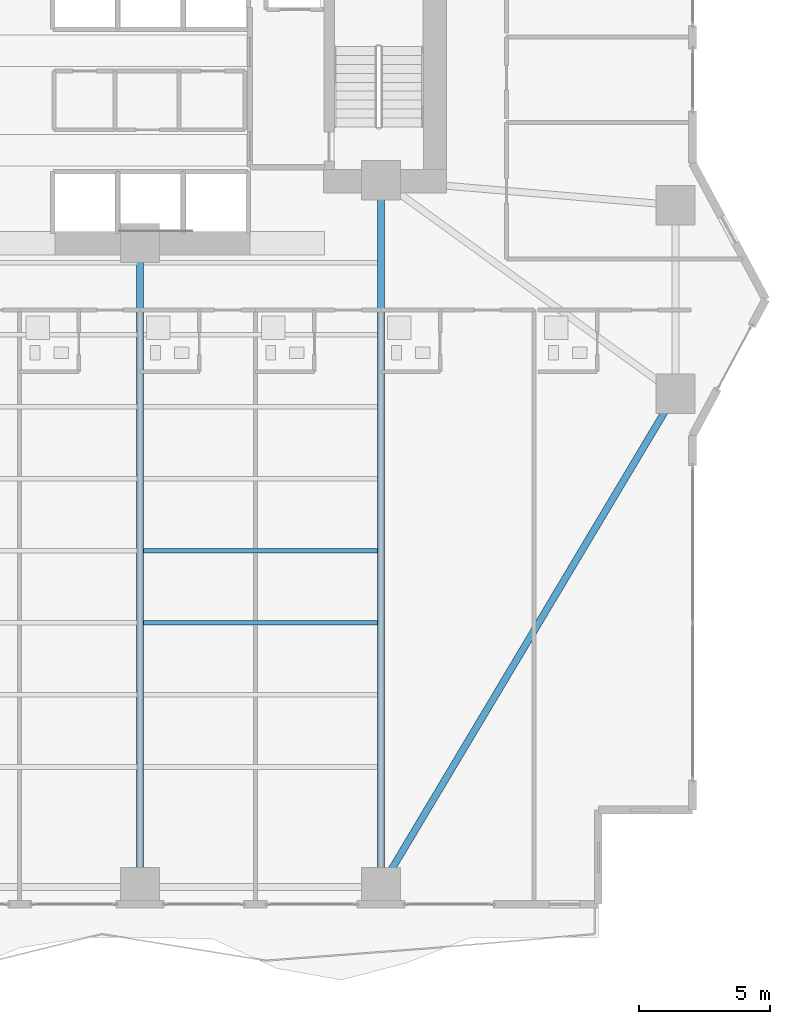
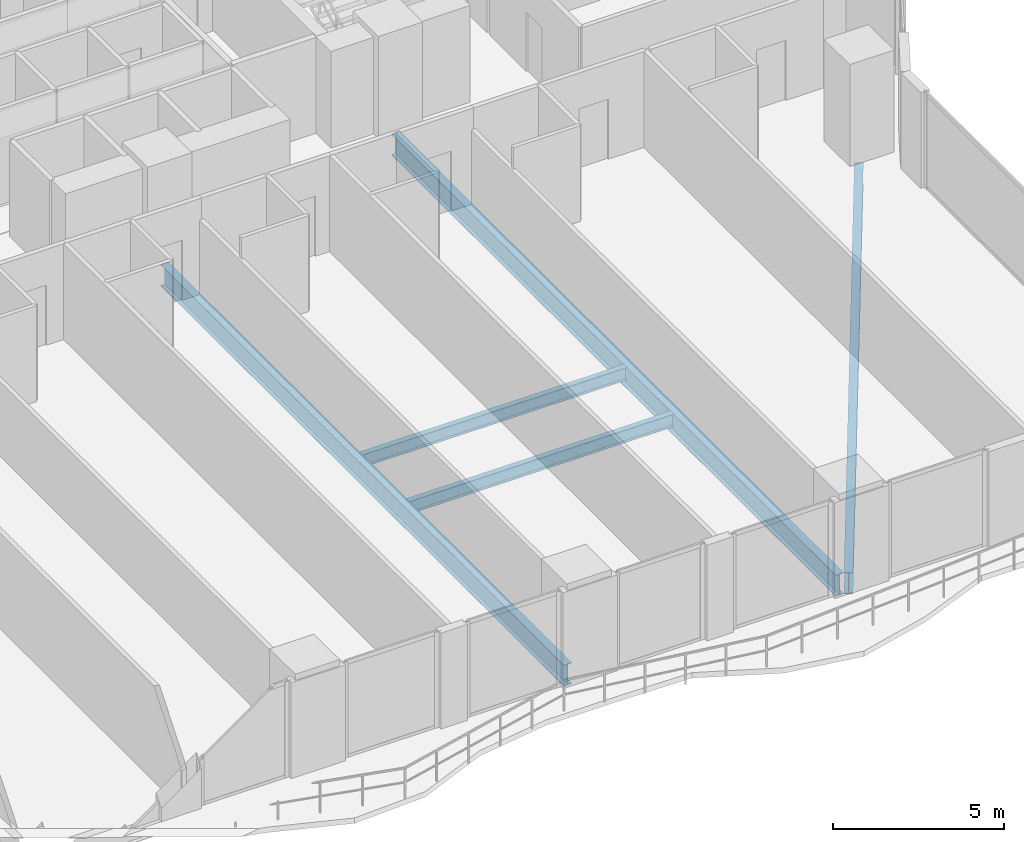
# One storey, part 9 of 29: 5 beams.
"""IFC4 building model written with IfcOpenShell, lengths in metres."""

from ifc_helpers import new_model, si_unit, direction, frame, origin, origin_2d, place, context, subcontext, project, spatial, i_section, extrude, material, material_profile, profile_set, type_object, element, save


model = new_model("IFC4")

# Units and contexts
model_context = context("Model", 3, precision=1e-05, world=origin(), true_north=direction((0.0, 1.0)))
body_context = subcontext(model_context, "Body", "Model", "MODEL_VIEW")
ifc_project = project(units=[si_unit("LENGTHUNIT", "METRE"), si_unit("AREAUNIT", "SQUARE_METRE"), si_unit("VOLUMEUNIT", "CUBIC_METRE"), si_unit("PLANEANGLEUNIT", "RADIAN"), si_unit("MASSUNIT", "GRAM", prefix="KILO")], contexts=[model_context])

# Site, building, storey
site_placement = place(None, origin())
site = spatial("IfcSite", under=ifc_project, at=site_placement, CompositionType="ELEMENT")
building_placement = place(site_placement, origin())
building = spatial("IfcBuilding", under=site, at=building_placement, Name="Zuhayl Quay Hotel", CompositionType="ELEMENT")
storey_placement = place(building_placement, frame((0.0, 0.0, 67.75)))
storey = spatial("IfcBuildingStorey", under=building, at=storey_placement, Name="L16", CompositionType="ELEMENT", Elevation=67.75)

# Beams
ifc_material = material(Name="Steel ASTM A992 Grade 50", Category="steel")
ifc_material_profile_1 = material_profile(ifc_material, i_section(OverallWidth=0.26708984375, OverallDepth=0.761962890625, WebThickness=0.014404296875, FlangeThickness=0.021484375, at=origin_2d()), Name="W30X116")
ifc_profile_set_1 = profile_set([ifc_material_profile_1], Name="Steel ASTM A992 Grade 50")
beam_type_1 = type_object("IfcBeamType", Name="BM_B1_W30X116", PredefinedType="BEAM", material=ifc_profile_set_1)
beam_1_placement = place(storey_placement, frame((14.05615234375, -22.020751953125, -0.60107421875), z_axis=(0.512482593247, 0.85869761361, 0.0), x_axis=(-0.85869761361, 0.512482593247, 0.0)))
element("IfcBeam", 1, at=beam_1_placement, inside=storey, type_object=beam_type_1, Name="L16 Floor Beam RG_L16_04", PredefinedType="BEAM", context=body_context, shape_type="SweptSolid", body=[
    extrude(i_section(OverallWidth=0.26708984375, OverallDepth=0.761962890625, WebThickness=0.014404296875, FlangeThickness=0.021484375, at=origin_2d()), origin(), (0.0, 0.0, 1.0), 20.9521484375),
])
beam_2_placement = place(storey_placement, frame((4.60009765625, -21.949951171875, -0.60107421875), z_axis=(0.0, 1.0, 0.0), x_axis=(-1.0, 0.0, 0.0)))
element("IfcBeam", 2, at=beam_2_placement, inside=storey, type_object=beam_type_1, Name="L16 Floor Beam FG_S_L16_3", PredefinedType="BEAM", context=body_context, shape_type="SweptSolid", body=[
    extrude(i_section(OverallWidth=0.26708984375, OverallDepth=0.761962890625, WebThickness=0.014404296875, FlangeThickness=0.021484375, at=origin_2d()), origin(), (0.0, 0.0, 1.0), 23.64990234375),
])
beam_3_placement = place(storey_placement, frame((13.800048828125, -21.949951171875, -0.60107421875), z_axis=(0.0, 1.0, 0.0), x_axis=(-1.0, 0.0, 0.0)))
element("IfcBeam", 3, at=beam_3_placement, inside=storey, type_object=beam_type_1, Name="L16 Floor Beam FG_S_L16_4", PredefinedType="BEAM", context=body_context, shape_type="SweptSolid", body=[
    extrude(i_section(OverallWidth=0.26708984375, OverallDepth=0.761962890625, WebThickness=0.014404296875, FlangeThickness=0.021484375, at=origin_2d()), origin(), (0.0, 0.0, 1.0), 26.050048828125),
])
ifc_material_profile_2 = material_profile(ifc_material, i_section(OverallWidth=0.18994140625, OverallDepth=0.45703125, WebThickness=0.009033203125, FlangeThickness=0.014404296875, at=origin_2d()), Name="W18X50")
ifc_profile_set_2 = profile_set([ifc_material_profile_2], Name="Steel ASTM A992 Grade 50")
beam_type_2 = type_object("IfcBeamType", Name="BM_J2_W18X50", PredefinedType="JOIST", material=ifc_profile_set_2)
for number, where, z_axis, x_axis, name in (
    (4, (4.7255859375, -12.35009765625, -0.448486328125), (1.0, 0.0, 0.0), (0.0, 1.0, 0.0), "L16 Floor Beam FJ_L16_5_3"),
    (5, (4.7255859375, -9.60009765625, -0.448486328125), (1.0, 0.0, 0.0), (0.0, 1.0, 0.0), "L16 Floor Beam FJ_L16_6_3"),
):
    element("IfcBeam", number, at=place(storey_placement, frame(where, z_axis=z_axis, x_axis=x_axis)), inside=storey, type_object=beam_type_2, Name=name, PredefinedType="JOIST", context=body_context, shape_type="SweptSolid", body=[
        extrude(i_section(OverallWidth=0.18994140625, OverallDepth=0.45703125, WebThickness=0.009033203125, FlangeThickness=0.014404296875, at=origin_2d()), origin(), (0.0, 0.0, 1.0), 8.948974609375),
    ])

save(model, "model.ifc")
